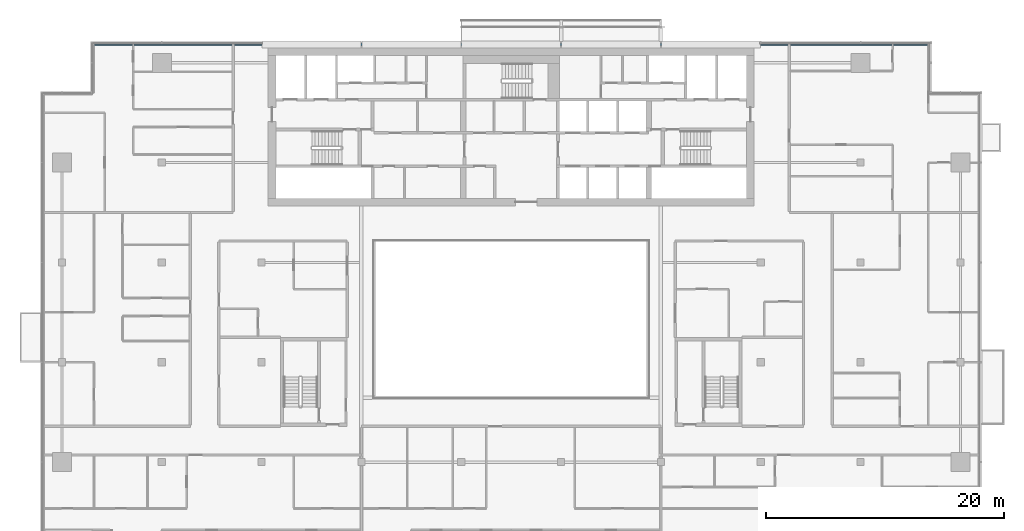
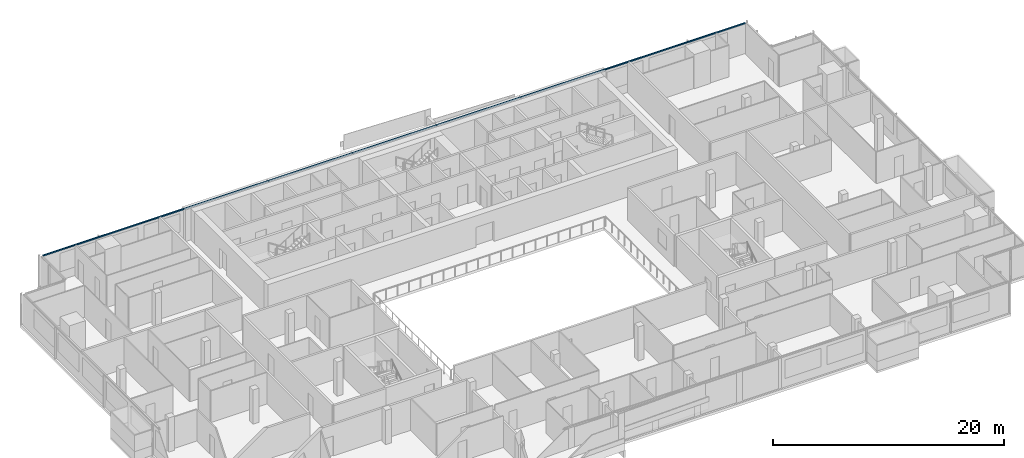
# One storey, part 9 of 26: 1 member, 1 element without a shape of its own.
"""IFC4 building model written with IfcOpenShell, lengths in metres."""

from ifc_helpers import new_model, si_unit, direction, frame, origin, origin_2d, place, context, subcontext, project, spatial, rectangle, extrude, material, material_profile, profile_set, type_object, element, aggregate, save


model = new_model("IFC4")

# Units and contexts
model_context = context("Model", 3, precision=1e-05, world=origin(), true_north=direction((0.0, 1.0)))
body_context = subcontext(model_context, "Body", "Model", "MODEL_VIEW")
ifc_project = project(units=[si_unit("LENGTHUNIT", "METRE"), si_unit("AREAUNIT", "SQUARE_METRE"), si_unit("VOLUMEUNIT", "CUBIC_METRE"), si_unit("PLANEANGLEUNIT", "RADIAN"), si_unit("MASSUNIT", "GRAM", prefix="KILO")], contexts=[model_context])

# Site, building, storey
site_placement = place(None, origin())
site = spatial("IfcSite", under=ifc_project, at=site_placement, CompositionType="ELEMENT")
building_placement = place(site_placement, origin())
building = spatial("IfcBuilding", under=site, at=building_placement, Name="Saffron Gate Tower", CompositionType="ELEMENT")
storey_placement = place(building_placement, frame((0.0, 0.0, 230.699951171875)))
storey = spatial("IfcBuildingStorey", under=building, at=storey_placement, Name="L56", CompositionType="ELEMENT", Elevation=230.699951171875)

# Curtain wall, member
ifc_material = material(Name="Aluminium, bronze anodised", Category="aluminium")
curtain_wall_type = type_object("IfcCurtainWallType", Name="CWS3 curtain wall rear facade", PredefinedType="NOTDEFINED", material=ifc_material)
curtain_wall_placement = place(storey_placement, origin())
curtain_wall = element("IfcCurtainWall", 1, at=curtain_wall_placement, inside=storey, type_object=curtain_wall_type, Name="CWS3 run 7", PredefinedType="NOTDEFINED")
ifc_material_profile = material_profile(ifc_material, rectangle(XDim=0.1201171875, YDim=0.1201171875, at=origin_2d()))
ifc_profile_set = profile_set([ifc_material_profile], Name="Aluminium, bronze anodised")
member_type = type_object("IfcMemberType", Name="CWS3 head transom", PredefinedType="USERDEFINED", material=ifc_profile_set)
member_placement = place(storey_placement, frame((122.632080078125, 75.35205078125, 3.260009765625), z_axis=(-1.0, 0.0, 0.0), x_axis=(0.0, -1.0, 0.0)))
member = element("IfcMember", 2, at=member_placement, type_object=member_type, Name="CWS3 head transom", ObjectType="TRANSOM", PredefinedType="USERDEFINED", context=body_context, shape_type="SweptSolid", body=[
    extrude(rectangle(XDim=0.1201171875, YDim=0.1201171875, at=origin_2d()), origin(), (0.0, 0.0, 1.0), 70.06396484375),
])
aggregate(curtain_wall, [member])

save(model, "model.ifc")
